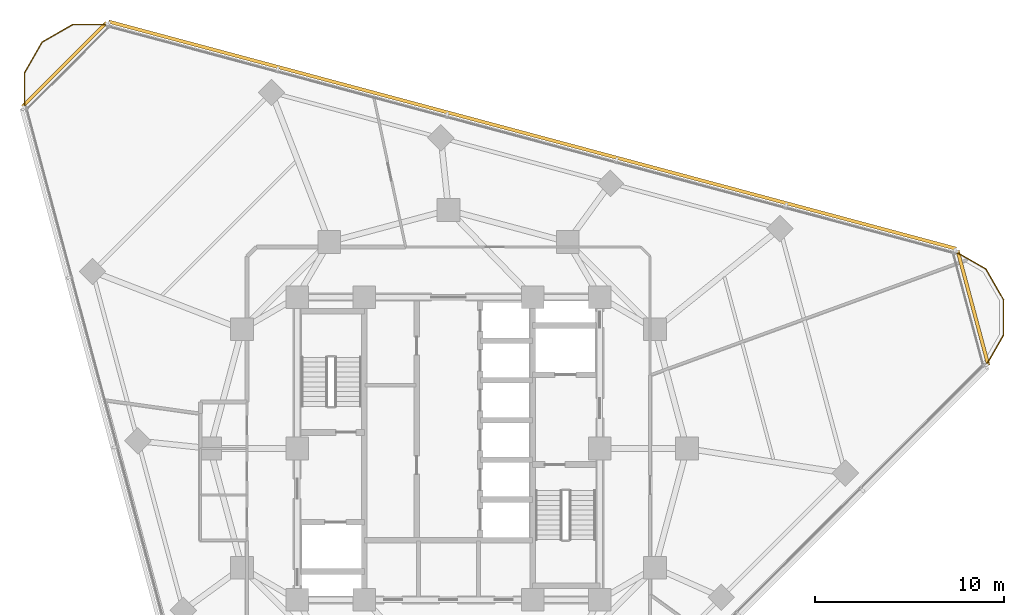
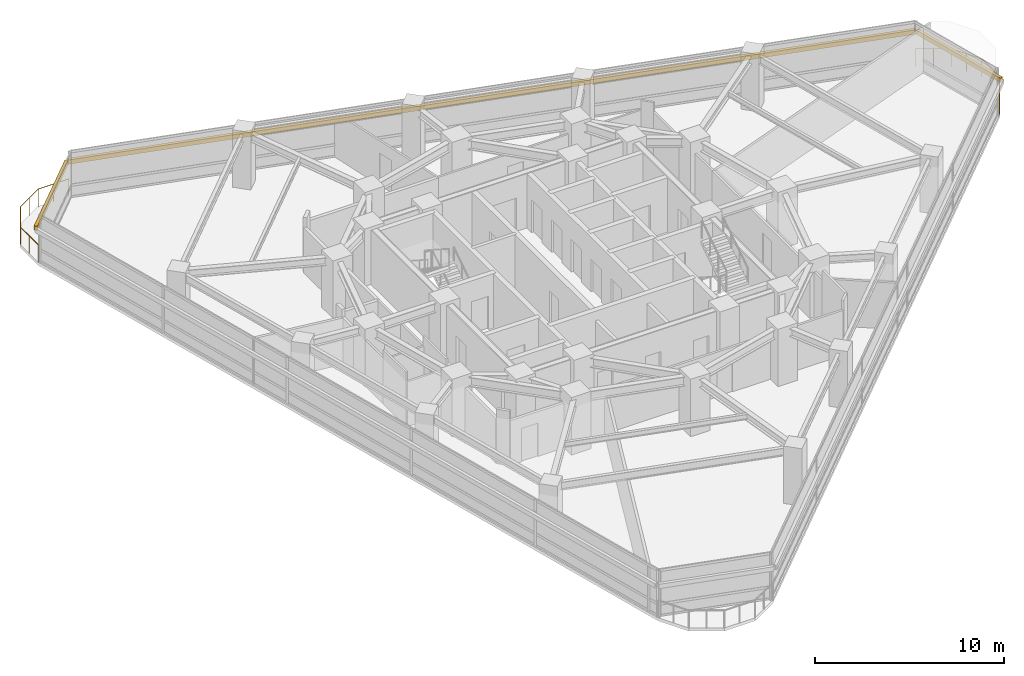
# One storey, part 13 of 13: 3 shading devices, 2 railings.
"""IFC4 building model written with IfcOpenShell, lengths in metres."""

from ifc_helpers import new_model, si_unit, direction, frame, origin, origin_2d, place, context, subcontext, project, spatial, rectangle, circle, extrude, material, layer, layer_set, type_object, element, save


model = new_model("IFC4")

# Units and contexts
model_context = context("Model", 3, precision=1e-05, world=origin(), true_north=direction((0.0, 1.0)))
body_context = subcontext(model_context, "Body", "Model", "MODEL_VIEW")
ifc_project = project(units=[si_unit("LENGTHUNIT", "METRE"), si_unit("AREAUNIT", "SQUARE_METRE"), si_unit("VOLUMEUNIT", "CUBIC_METRE"), si_unit("PLANEANGLEUNIT", "RADIAN"), si_unit("MASSUNIT", "GRAM", prefix="KILO")], contexts=[model_context])

# Site, building, storey
site_placement = place(None, origin())
site = spatial("IfcSite", under=ifc_project, at=site_placement, CompositionType="ELEMENT")
building_placement = place(site_placement, origin())
building = spatial("IfcBuilding", under=site, at=building_placement, Name="Terralouvre Media Tower", CompositionType="ELEMENT")
storey_placement = place(building_placement, frame((0.0, 0.0, 199.0)))
storey = spatial("IfcBuildingStorey", under=building, at=storey_placement, Name="L51", CompositionType="ELEMENT", Elevation=199.0)

# Railings
ifc_material_1 = material(Name="Stainless steel 316 handrail and balustrade", Category="steel")
ifc_layer = layer(ifc_material_1, 0.06005859375, Name="Roof Edge Safety Guardrail GR-ROOF1")
ifc_layer_set = layer_set([ifc_layer], Name="Stainless steel 316 handrail and balustrade")
railing_type = type_object("IfcRailingType", Name="Roof Edge Safety Guardrail GR-ROOF1", PredefinedType="GUARDRAIL", material=ifc_layer_set)
railing_1_placement = place(storey_placement, frame((28.39892578125, 4.365478515625, 0.0)))
element("IfcRailing", 1, at=railing_1_placement, inside=storey, type_object=railing_type, Name="L51 Wind-Corner Perimeter Safety Guardrail C1", PredefinedType="GUARDRAIL", context=body_context, shape_type="SweptSolid", body=[
    extrude(circle(Radius=0.02099609375, at=origin_2d()), frame((0.0, 0.0, 1.12890625), z_axis=(0.500203770141, 0.86590772507, 0.0), x_axis=(-0.86590772507, 0.500203770141, 0.0)), (0.0, 0.0, 1.0), 1.873291015625),
    extrude(circle(Radius=0.02099609375, at=origin_2d()), frame((0.93701171875, 1.6220703125, 1.12890625), z_axis=(0.000130344107, 0.999999991505, 0.0), x_axis=(-0.999999991505, 0.000130344107, 0.0)), (0.0, 0.0, 1.0), 1.873046875),
    extrude(circle(Radius=0.02099609375, at=origin_2d()), frame((0.937255859375, 3.4951171875, 1.12890625), z_axis=(-0.500162491388, 0.86593156901, 0.0), x_axis=(-0.86593156901, -0.500162491388, 0.0)), (0.0, 0.0, 1.0), 1.873046875),
    extrude(circle(Radius=0.02099609375, at=origin_2d()), frame((0.00048828125, 5.116943359375, 1.12890625), z_axis=(-0.866142189219, 0.499797667116, 0.0), x_axis=(-0.499797667116, -0.866142189219, 0.0)), (0.0, 0.0, 1.0), 1.873291015625),
    extrude(circle(Radius=0.01904296875, at=origin_2d()), origin(), (0.0, 0.0, 1.0), 1.10791015625),
    extrude(circle(Radius=0.01904296875, at=origin_2d()), frame((0.468505859375, 0.81103515625, 0.0)), (0.0, 0.0, 1.0), 1.10791015625),
    extrude(circle(Radius=0.01904296875, at=origin_2d()), frame((0.93701171875, 1.6220703125, 0.0)), (0.0, 0.0, 1.0), 1.10791015625),
    extrude(circle(Radius=0.01904296875, at=origin_2d()), frame((0.93701171875, 2.55859375, 0.0)), (0.0, 0.0, 1.0), 1.10791015625),
    extrude(circle(Radius=0.01904296875, at=origin_2d()), frame((0.937255859375, 3.4951171875, 0.0)), (0.0, 0.0, 1.0), 1.10791015625),
    extrude(circle(Radius=0.01904296875, at=origin_2d()), frame((0.46875, 4.30615234375, 0.0)), (0.0, 0.0, 1.0), 1.10791015625),
    extrude(circle(Radius=0.01904296875, at=origin_2d()), frame((0.00048828125, 5.116943359375, 0.0)), (0.0, 0.0, 1.0), 1.10791015625),
    extrude(circle(Radius=0.01904296875, at=origin_2d()), frame((-0.810791015625, 5.5849609375, 0.0)), (0.0, 0.0, 1.0), 1.10791015625),
    extrude(circle(Radius=0.01904296875, at=origin_2d()), frame((-1.6220703125, 6.05322265625, 0.0)), (0.0, 0.0, 1.0), 1.10791015625),
])
railing_2_placement = place(storey_placement, frame((-17.97998046875, 22.411376953125, 0.0)))
element("IfcRailing", 2, at=railing_2_placement, inside=storey, type_object=railing_type, Name="L51 Wind-Corner Perimeter Safety Guardrail C2", PredefinedType="GUARDRAIL", context=body_context, shape_type="SweptSolid", body=[
    extrude(circle(Radius=0.02099609375, at=origin_2d()), frame((0.0, 0.0, 1.12890625), z_axis=(-0.99999996603, 0.000260654233, 0.0), x_axis=(-0.000260654233, -0.99999996603, 0.0)), (0.0, 0.0, 1.0), 1.873291015625),
    extrude(circle(Radius=0.02099609375, at=origin_2d()), frame((-1.873291015625, 0.00048828125, 1.12890625), z_axis=(-0.866109628736, -0.499854089722, 0.0), x_axis=(0.499854089722, -0.866109628736, 0.0)), (0.0, 0.0, 1.0), 1.873046875),
    extrude(circle(Radius=0.02099609375, at=origin_2d()), frame((-3.49560546875, -0.935791015625, 1.12890625), z_axis=(-0.499854089722, -0.866109628736, 0.0), x_axis=(0.866109628736, -0.499854089722, 0.0)), (0.0, 0.0, 1.0), 1.873046875),
    extrude(circle(Radius=0.02099609375, at=origin_2d()), frame((-4.431884765625, -2.55810546875, 1.12890625), z_axis=(0.000260654233, -0.99999996603, 0.0), x_axis=(0.99999996603, 0.000260654233, 0.0)), (0.0, 0.0, 1.0), 1.873291015625),
    extrude(circle(Radius=0.01904296875, at=origin_2d()), origin(), (0.0, 0.0, 1.0), 1.10791015625),
    extrude(circle(Radius=0.01904296875, at=origin_2d()), frame((-0.9365234375, 0.000244140625, 0.0)), (0.0, 0.0, 1.0), 1.10791015625),
    extrude(circle(Radius=0.01904296875, at=origin_2d()), frame((-1.873291015625, 0.00048828125, 0.0)), (0.0, 0.0, 1.0), 1.10791015625),
    extrude(circle(Radius=0.01904296875, at=origin_2d()), frame((-2.6845703125, -0.4677734375, 0.0)), (0.0, 0.0, 1.0), 1.10791015625),
    extrude(circle(Radius=0.01904296875, at=origin_2d()), frame((-3.49560546875, -0.935791015625, 0.0)), (0.0, 0.0, 1.0), 1.10791015625),
    extrude(circle(Radius=0.01904296875, at=origin_2d()), frame((-3.9638671875, -1.7470703125, 0.0)), (0.0, 0.0, 1.0), 1.10791015625),
    extrude(circle(Radius=0.01904296875, at=origin_2d()), frame((-4.431884765625, -2.55810546875, 0.0)), (0.0, 0.0, 1.0), 1.10791015625),
    extrude(circle(Radius=0.01904296875, at=origin_2d()), frame((-4.431640625, -3.49462890625, 0.0)), (0.0, 0.0, 1.0), 1.10791015625),
    extrude(circle(Radius=0.01904296875, at=origin_2d()), frame((-4.431396484375, -4.431396484375, 0.0)), (0.0, 0.0, 1.0), 1.10791015625),
])

# Shading devices
ifc_material_2 = material(Name="Extruded terracotta baguette sunshade louvres", Category="masonry")
shading_device_type = type_object("IfcShadingDeviceType", Name="Terracotta Baguette Sunshade Louvre Screen TB-LV1", PredefinedType="USERDEFINED", material=ifc_material_2)
shading_device_placement = place(storey_placement, frame((4.43701171875, 16.558837890625, 2.02392578125), z_axis=(0.0, 0.0, 1.0), x_axis=(-0.96592582942, 0.25881903342, 0.0)))
element("IfcShadingDevice", 3, at=shading_device_placement, inside=storey, type_object=shading_device_type, Name="CW-L51-F1 Terracotta Baguette Sunshade Louvre", ObjectType="BAGUETTE", PredefinedType="USERDEFINED", context=body_context, shape_type="SweptSolid", body=[
    extrude(rectangle(XDim=46.360107421875, YDim=0.179931640625, at=origin_2d()), origin(), (0.0, 0.0, 1.0), 0.280029296875),
])
for number, where, z_axis, x_axis, name in (
    (4, (27.71826171875, 7.427001953125, 2.02392578125), (0.0, 0.0, 1.0), (-0.258818728144, 0.965925911218, 0.0), "CW-L51-C1 Terracotta Baguette Sunshade Louvre"),
    (5, (-20.291015625, 20.291015625, 2.02392578125), (0.0, 0.0, 1.0), (-0.707106781187, -0.707106781187, 0.0), "CW-L51-C2 Terracotta Baguette Sunshade Louvre"),
):
    element("IfcShadingDevice", number, at=place(storey_placement, frame(where, z_axis=z_axis, x_axis=x_axis)), inside=storey, type_object=shading_device_type, Name=name, ObjectType="BAGUETTE", PredefinedType="USERDEFINED", context=body_context, shape_type="SweptSolid", body=[
        extrude(rectangle(XDim=6.27001953125, YDim=0.179931640625, at=origin_2d()), origin(), (0.0, 0.0, 1.0), 0.280029296875),
    ])

save(model, "model.ifc")
